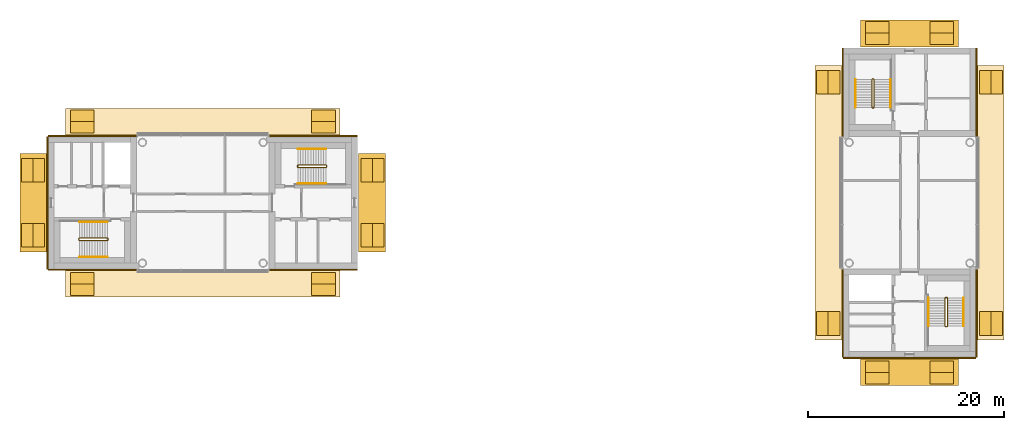
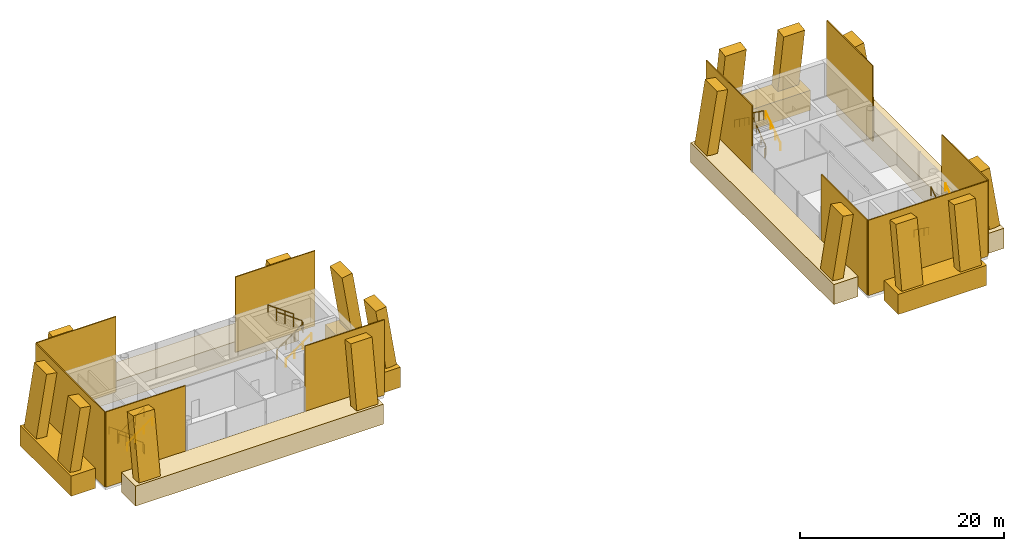
# One storey, part 12 of 12: 34 coverings, 12 railings.
"""IFC4 building model written with IfcOpenShell, lengths in metres."""

from ifc_helpers import new_model, si_unit, direction, frame, origin, origin_2d, place, context, subcontext, project, spatial, rectangle, circle, extrude, material, layer, layer_set, material_profile, profile_set, type_object, element, save


model = new_model("IFC4")

# Units and contexts
model_context = context("Model", 3, precision=1e-05, world=origin(), true_north=direction((0.0, 1.0)))
body_context = subcontext(model_context, "Body", "Model", "MODEL_VIEW")
ifc_project = project(units=[si_unit("LENGTHUNIT", "METRE"), si_unit("AREAUNIT", "SQUARE_METRE"), si_unit("VOLUMEUNIT", "CUBIC_METRE"), si_unit("PLANEANGLEUNIT", "RADIAN"), si_unit("MASSUNIT", "GRAM", prefix="KILO")], contexts=[model_context])

# Site, building, storey
site_placement = place(None, origin())
site = spatial("IfcSite", under=ifc_project, at=site_placement, CompositionType="ELEMENT")
building_placement = place(site_placement, origin())
building = spatial("IfcBuilding", under=site, at=building_placement, Name="Ipe Terrace Towers", CompositionType="ELEMENT")
storey_placement = place(building_placement, frame((0.0, 0.0, 255.89990234375)))
storey = spatial("IfcBuildingStorey", under=building, at=storey_placement, Name="L70", CompositionType="ELEMENT", Elevation=255.89990234375)

# Coverings
ifc_material_1 = material(Name="Concrete C50/60 precast, buff finish", Category="concrete")
ifc_layer = layer(ifc_material_1, 0.1201171875)
ifc_layer_set = layer_set([ifc_layer], Name="STONE CORE CLADDING 120")
covering_type_1 = type_object("IfcCoveringType", Name="STONE CORE CLADDING 120", PredefinedType="CLADDING", material=ifc_layer_set)
covering_1_placement = place(storey_placement, frame((-47.2490234375, -6.81005859375, 0.0), z_axis=(0.0, 0.0, 1.0), x_axis=(1.0, 0.0, 0.0)))
element("IfcCovering", 1, at=covering_1_placement, inside=storey, type_object=covering_type_1, Name="stone core cladding", PredefinedType="CLADDING", context=body_context, shape_type="SweptSolid", body=[
    extrude(rectangle(XDim=9.0009765625, YDim=0.1201171875, at=origin_2d()), origin(), (0.0, 0.0, 1.0), 9.0),
])
covering_2_placement = place(storey_placement, frame((-51.81005859375, 0.0, 0.0), z_axis=(0.0, 0.0, 1.0), x_axis=(0.0, -1.0, 0.0)))
element("IfcCovering", 2, at=covering_2_placement, inside=storey, type_object=covering_type_1, Name="stone core cladding", PredefinedType="CLADDING", context=body_context, shape_type="SweptSolid", body=[
    extrude(rectangle(XDim=13.5, YDim=0.1201171875, at=origin_2d()), origin(), (0.0, 0.0, 1.0), 9.0),
])
for number, where, z_axis, x_axis, name in (
    (3, (-47.2490234375, 6.81005859375, 0.0), (0.0, 0.0, 1.0), (-1.0, 0.0, 0.0), "stone core cladding"),
    (4, (-24.7509765625, -6.81005859375, 0.0), (0.0, 0.0, 1.0), (1.0, 0.0, 0.0), "stone core cladding"),
    (5, (-24.7509765625, 6.81005859375, 0.0), (0.0, 0.0, 1.0), (-1.0, 0.0, 0.0), "stone core cladding"),
):
    element("IfcCovering", number, at=place(storey_placement, frame(where, z_axis=z_axis, x_axis=x_axis)), inside=storey, type_object=covering_type_1, Name=name, PredefinedType="CLADDING", context=body_context, shape_type="SweptSolid", body=[
        extrude(rectangle(XDim=9.0009765625, YDim=0.1201171875, at=origin_2d()), origin(), (0.0, 0.0, 1.0), 9.0),
    ])
covering_3_placement = place(storey_placement, frame((36.0, -15.81005859375, 0.0), z_axis=(0.0, 0.0, 1.0), x_axis=(1.0, 0.0, 0.0)))
element("IfcCovering", 6, at=covering_3_placement, inside=storey, type_object=covering_type_1, Name="stone core cladding", PredefinedType="CLADDING", context=body_context, shape_type="SweptSolid", body=[
    extrude(rectangle(XDim=13.5, YDim=0.1201171875, at=origin_2d()), origin(), (0.0, 0.0, 1.0), 9.0),
])
for number, where, z_axis, x_axis, name in (
    (7, (29.18994140625, -11.25, 0.0), (0.0, 0.0, 1.0), (0.0, -1.0, 0.0), "stone core cladding"),
    (8, (29.18994140625, 11.2490234375, 0.0), (0.0, 0.0, 1.0), (0.0, -1.0, 0.0), "stone core cladding"),
    (9, (42.81005859375, -11.2490234375, 0.0), (0.0, 0.0, 1.0), (0.0, 1.0, 0.0), "stone core cladding"),
    (10, (42.81005859375, 11.25, 0.0), (0.0, 0.0, 1.0), (0.0, 1.0, 0.0), "stone core cladding"),
):
    element("IfcCovering", number, at=place(storey_placement, frame(where, z_axis=z_axis, x_axis=x_axis)), inside=storey, type_object=covering_type_1, Name=name, PredefinedType="CLADDING", context=body_context, shape_type="SweptSolid", body=[
        extrude(rectangle(XDim=9.0009765625, YDim=0.1201171875, at=origin_2d()), origin(), (0.0, 0.0, 1.0), 9.0),
    ])
ifc_material_2 = material(Name="Concrete C50/60 precast, buff finish", Category="concrete")
ifc_material_profile_1 = material_profile(ifc_material_2, rectangle(XDim=2.39990234375, YDim=1.199951171875, at=origin_2d()), Name="STONE FIN 2400 x 1200")
ifc_profile_set_1 = profile_set([ifc_material_profile_1], Name="Concrete C50/60 precast, buff finish")
covering_type_2 = type_object("IfcCoveringType", Name="STONE FIN 2400 x 1200", PredefinedType="USERDEFINED", material=ifc_profile_set_1)
for number, where, z_axis, x_axis, name in (
    (11, (-18.1298828125, -3.300048828125, 1.2001953125), (-0.158280284634, 0.0, 0.98739422294), (0.0, 1.0, 0.0), "stone fin"),
    (12, (-18.1298828125, 3.300048828125, 1.2001953125), (-0.158280284634, 0.0, 0.98739422294), (0.0, 1.0, 0.0), "stone fin"),
    (13, (-23.699951171875, -8.8701171875, 1.2001953125), (0.0, 0.158280284634, 0.98739422294), (1.0, 0.0, 0.0), "stone fin"),
    (14, (-23.699951171875, 8.8701171875, 1.2001953125), (0.0, -0.158280284634, 0.98739422294), (-1.0, 0.0, 0.0), "stone fin"),
    (15, (-48.300048828125, -8.8701171875, 1.2001953125), (0.0, 0.158280284634, 0.98739422294), (1.0, 0.0, 0.0), "stone fin"),
    (16, (-48.300048828125, 8.8701171875, 1.2001953125), (0.0, -0.158280284634, 0.98739422294), (-1.0, 0.0, 0.0), "stone fin"),
    (17, (-53.8701171875, -3.300048828125, 1.2001953125), (0.158280284634, 0.0, 0.98739422294), (0.0, -1.0, 0.0), "stone fin"),
    (18, (-53.8701171875, 3.300048828125, 1.2001953125), (0.158280284634, 0.0, 0.98739422294), (0.0, -1.0, 0.0), "stone fin"),
    (19, (27.1298828125, -12.300048828125, 1.2001953125), (0.158280284634, 0.0, 0.98739422294), (0.0, -1.0, 0.0), "stone fin"),
    (20, (27.1298828125, 12.300048828125, 1.2001953125), (0.158280284634, 0.0, 0.98739422294), (0.0, -1.0, 0.0), "stone fin"),
    (21, (32.699951171875, -17.8701171875, 1.2001953125), (0.0, 0.158280284634, 0.98739422294), (1.0, 0.0, 0.0), "stone fin"),
    (22, (32.699951171875, 17.8701171875, 1.2001953125), (0.0, -0.158280284634, 0.98739422294), (-1.0, 0.0, 0.0), "stone fin"),
    (23, (39.300048828125, -17.8701171875, 1.2001953125), (0.0, 0.158280284634, 0.98739422294), (1.0, 0.0, 0.0), "stone fin"),
    (24, (39.300048828125, 17.8701171875, 1.2001953125), (0.0, -0.158280284634, 0.98739422294), (-1.0, 0.0, 0.0), "stone fin"),
    (25, (44.8701171875, -12.300048828125, 1.2001953125), (-0.158280284634, 0.0, 0.98739422294), (0.0, 1.0, 0.0), "stone fin"),
    (26, (44.8701171875, 12.300048828125, 1.2001953125), (-0.158280284634, 0.0, 0.98739422294), (0.0, 1.0, 0.0), "stone fin"),
):
    element("IfcCovering", number, at=place(storey_placement, frame(where, z_axis=z_axis, x_axis=x_axis)), inside=storey, type_object=covering_type_2, Name=name, ObjectType="FIN", PredefinedType="USERDEFINED", context=body_context, shape_type="SweptSolid", body=[
        extrude(rectangle(XDim=2.39990234375, YDim=1.199951171875, at=origin_2d()), origin(), (0.0, 0.0, 1.0), 7.39306640625),
    ])
ifc_material_3 = material(Name="Concrete C50/60 precast, buff finish", Category="concrete")
ifc_material_profile_2 = material_profile(ifc_material_3, rectangle(XDim=2.760009765625, YDim=2.39990234375, at=origin_2d()), Name="STONE FIN SPANDREL 2760 x 2400")
ifc_profile_set_2 = profile_set([ifc_material_profile_2], Name="Concrete C50/60 precast, buff finish")
covering_type_3 = type_object("IfcCoveringType", Name="STONE FIN SPANDREL 2760 x 2400", PredefinedType="CLADDING", material=ifc_profile_set_2)
covering_4_placement = place(storey_placement, frame((-50.0, -8.239990234375, 0.0), z_axis=(1.0, 0.0, 0.0), x_axis=(0.0, -1.0, 0.0)))
element("IfcCovering", 27, at=covering_4_placement, inside=storey, type_object=covering_type_3, Name="stone fin spandrel", PredefinedType="CLADDING", context=body_context, shape_type="SweptSolid", body=[
    extrude(rectangle(XDim=2.760009765625, YDim=2.39990234375, at=origin_2d()), origin(), (0.0, 0.0, 1.0), 28.0),
])
covering_5_placement = place(storey_placement, frame((-18.760009765625, -5.0, 0.0), z_axis=(0.0, 1.0, 0.0), x_axis=(1.0, 0.0, 0.0)))
element("IfcCovering", 28, at=covering_5_placement, inside=storey, type_object=covering_type_3, Name="stone fin spandrel", PredefinedType="CLADDING", context=body_context, shape_type="SweptSolid", body=[
    extrude(rectangle(XDim=2.760009765625, YDim=2.39990234375, at=origin_2d()), origin(), (0.0, 0.0, 1.0), 10.0),
])
covering_6_placement = place(storey_placement, frame((-22.0, 8.239990234375, 0.0), z_axis=(-1.0, 0.0, 0.0), x_axis=(0.0, 1.0, 0.0)))
element("IfcCovering", 29, at=covering_6_placement, inside=storey, type_object=covering_type_3, Name="stone fin spandrel", PredefinedType="CLADDING", context=body_context, shape_type="SweptSolid", body=[
    extrude(rectangle(XDim=2.760009765625, YDim=2.39990234375, at=origin_2d()), origin(), (0.0, 0.0, 1.0), 28.0),
])
covering_7_placement = place(storey_placement, frame((-53.239990234375, 5.0, 0.0), z_axis=(0.0, -1.0, 0.0), x_axis=(-1.0, 0.0, 0.0)))
element("IfcCovering", 30, at=covering_7_placement, inside=storey, type_object=covering_type_3, Name="stone fin spandrel", PredefinedType="CLADDING", context=body_context, shape_type="SweptSolid", body=[
    extrude(rectangle(XDim=2.760009765625, YDim=2.39990234375, at=origin_2d()), origin(), (0.0, 0.0, 1.0), 10.0),
])
covering_8_placement = place(storey_placement, frame((44.239990234375, -14.0, 0.0), z_axis=(0.0, 1.0, 0.0), x_axis=(1.0, 0.0, 0.0)))
element("IfcCovering", 31, at=covering_8_placement, inside=storey, type_object=covering_type_3, Name="stone fin spandrel", PredefinedType="CLADDING", context=body_context, shape_type="SweptSolid", body=[
    extrude(rectangle(XDim=2.760009765625, YDim=2.39990234375, at=origin_2d()), origin(), (0.0, 0.0, 1.0), 28.0),
])
covering_9_placement = place(storey_placement, frame((41.0, 17.239990234375, 0.0), z_axis=(-1.0, 0.0, 0.0), x_axis=(0.0, 1.0, 0.0)))
element("IfcCovering", 32, at=covering_9_placement, inside=storey, type_object=covering_type_3, Name="stone fin spandrel", PredefinedType="CLADDING", context=body_context, shape_type="SweptSolid", body=[
    extrude(rectangle(XDim=2.760009765625, YDim=2.39990234375, at=origin_2d()), origin(), (0.0, 0.0, 1.0), 10.0),
])
covering_10_placement = place(storey_placement, frame((27.760009765625, 14.0, 0.0), z_axis=(0.0, -1.0, 0.0), x_axis=(-1.0, 0.0, 0.0)))
element("IfcCovering", 33, at=covering_10_placement, inside=storey, type_object=covering_type_3, Name="stone fin spandrel", PredefinedType="CLADDING", context=body_context, shape_type="SweptSolid", body=[
    extrude(rectangle(XDim=2.760009765625, YDim=2.39990234375, at=origin_2d()), origin(), (0.0, 0.0, 1.0), 28.0),
])
covering_11_placement = place(storey_placement, frame((31.0, -17.239990234375, 0.0), z_axis=(1.0, 0.0, 0.0), x_axis=(0.0, -1.0, 0.0)))
element("IfcCovering", 34, at=covering_11_placement, inside=storey, type_object=covering_type_3, Name="stone fin spandrel", PredefinedType="CLADDING", context=body_context, shape_type="SweptSolid", body=[
    extrude(rectangle(XDim=2.760009765625, YDim=2.39990234375, at=origin_2d()), origin(), (0.0, 0.0, 1.0), 10.0),
])

# Railings
ifc_material_4 = material(Name="Steel S355", Category="steel")
railing_type_1 = type_object("IfcRailingType", Name="Stair guard 1100", PredefinedType="GUARDRAIL", material=ifc_material_4)
railing_1_placement = place(storey_placement, frame((-26.35009765625, 3.800048828125, 0.0)))
element("IfcRailing", 35, at=railing_1_placement, inside=storey, type_object=railing_type_1, Name="L70 T1-ST1 stair guard 1", PredefinedType="GUARDRAIL", context=body_context, shape_type="SweptSolid", body=[
    extrude(circle(Radius=0.02392578125, at=origin_2d()), frame((0.0, 0.0, 1.076171875), z_axis=(0.0, -1.0, 0.0), x_axis=(1.0, 0.0, 0.0)), (0.0, 0.0, 1.0), 0.150146484375),
    extrude(circle(Radius=0.02392578125, at=origin_2d()), frame((0.0, -0.150146484375, 1.076171875), z_axis=(0.249802250048, -0.248583702486, 0.935844527007), x_axis=(0.705375805398, 0.708833529934, 0.0)), (0.0, 0.0, 1.0), 0.200439453125),
    extrude(circle(Radius=0.02392578125, at=origin_2d()), frame((0.050048828125, -0.199951171875, 1.263671875), z_axis=(0.811100754333, 0.0, 0.584906459462), x_axis=(0.0, 1.0, 0.0)), (0.0, 0.0, 1.0), 3.526123046875),
    extrude(circle(Radius=0.02392578125, at=origin_2d()), frame((2.91015625, -0.199951171875, 3.326171875), z_axis=(0.708833529934, 0.705375805398, 0.0), x_axis=(-0.705375805398, 0.708833529934, 0.0)), (0.0, 0.0, 1.0), 0.070556640625),
    extrude(circle(Radius=0.02392578125, at=origin_2d()), frame((2.960205078125, -0.150146484375, 3.326171875), z_axis=(0.0, 1.0, 0.0), x_axis=(-1.0, 0.0, 0.0)), (0.0, 0.0, 1.0), 0.150146484375),
    extrude(circle(Radius=0.02392578125, at=origin_2d()), frame((2.960205078125, 0.0, 3.326171875), z_axis=(-0.249726431254, 0.249726431254, 0.935560483917), x_axis=(-0.707106781187, -0.707106781187, 0.0)), (0.0, 0.0, 1.0), 0.200439453125),
    extrude(circle(Radius=0.02392578125, at=origin_2d()), frame((2.91015625, 0.050048828125, 3.513671875), z_axis=(-0.811100754333, 0.0, 0.584906459462), x_axis=(0.0, -1.0, 0.0)), (0.0, 0.0, 1.0), 3.526123046875),
    extrude(circle(Radius=0.02099609375, at=origin_2d()), origin(), (0.0, 0.0, 1.0), 1.052001953125),
    extrude(circle(Radius=0.02099609375, at=origin_2d()), frame((0.0, -0.150146484375, 0.0)), (0.0, 0.0, 1.0), 1.052001953125),
    extrude(circle(Radius=0.02099609375, at=origin_2d()), frame((0.050048828125, -0.199951171875, 0.1875)), (0.0, 0.0, 1.0), 1.052001953125),
    extrude(circle(Radius=0.02099609375, at=origin_2d()), frame((1.00341796875, -0.199951171875, 0.875)), (0.0, 0.0, 1.0), 1.052001953125),
    extrude(circle(Radius=0.02099609375, at=origin_2d()), frame((1.956787109375, -0.199951171875, 1.5625)), (0.0, 0.0, 1.0), 1.052001953125),
    extrude(circle(Radius=0.02099609375, at=origin_2d()), frame((2.91015625, -0.199951171875, 2.25)), (0.0, 0.0, 1.0), 1.052001953125),
    extrude(circle(Radius=0.02099609375, at=origin_2d()), frame((2.960205078125, -0.150146484375, 2.25)), (0.0, 0.0, 1.0), 1.052001953125),
    extrude(circle(Radius=0.02099609375, at=origin_2d()), frame((2.960205078125, 0.0, 2.25)), (0.0, 0.0, 1.0), 1.052001953125),
    extrude(circle(Radius=0.02099609375, at=origin_2d()), frame((2.91015625, 0.050048828125, 2.4375)), (0.0, 0.0, 1.0), 1.052001953125),
    extrude(circle(Radius=0.02099609375, at=origin_2d()), frame((1.956787109375, 0.050048828125, 3.125)), (0.0, 0.0, 1.0), 1.052001953125),
    extrude(circle(Radius=0.02099609375, at=origin_2d()), frame((1.00341796875, 0.050048828125, 3.8125)), (0.0, 0.0, 1.0), 1.052001953125),
    extrude(circle(Radius=0.02099609375, at=origin_2d()), frame((0.050048828125, 0.050048828125, 4.5)), (0.0, 0.0, 1.0), 1.052001953125),
])
railing_2_placement = place(storey_placement, frame((-45.64990234375, -3.800048828125, 0.0)))
element("IfcRailing", 36, at=railing_2_placement, inside=storey, type_object=railing_type_1, Name="L70 T1-ST2 stair guard 1", PredefinedType="GUARDRAIL", context=body_context, shape_type="SweptSolid", body=[
    extrude(circle(Radius=0.02392578125, at=origin_2d()), frame((0.0, 0.0, 1.076171875), z_axis=(0.0, 1.0, 0.0), x_axis=(-1.0, 0.0, 0.0)), (0.0, 0.0, 1.0), 0.150146484375),
    extrude(circle(Radius=0.02392578125, at=origin_2d()), frame((0.0, 0.150146484375, 1.076171875), z_axis=(-0.249802250048, 0.248583702486, 0.935844527007), x_axis=(-0.705375805398, -0.708833529934, 0.0)), (0.0, 0.0, 1.0), 0.200439453125),
    extrude(circle(Radius=0.02392578125, at=origin_2d()), frame((-0.050048828125, 0.199951171875, 1.263671875), z_axis=(-0.811100754333, 0.0, 0.584906459462), x_axis=(0.0, -1.0, 0.0)), (0.0, 0.0, 1.0), 3.526123046875),
    extrude(circle(Radius=0.02392578125, at=origin_2d()), frame((-2.91015625, 0.199951171875, 3.326171875), z_axis=(-0.708833529934, -0.705375805398, 0.0), x_axis=(0.705375805398, -0.708833529934, 0.0)), (0.0, 0.0, 1.0), 0.070556640625),
    extrude(circle(Radius=0.02392578125, at=origin_2d()), frame((-2.960205078125, 0.150146484375, 3.326171875), z_axis=(0.0, -1.0, 0.0), x_axis=(1.0, 0.0, 0.0)), (0.0, 0.0, 1.0), 0.150146484375),
    extrude(circle(Radius=0.02392578125, at=origin_2d()), frame((-2.960205078125, 0.0, 3.326171875), z_axis=(0.249726431254, -0.249726431254, 0.935560483917), x_axis=(0.707106781187, 0.707106781187, 0.0)), (0.0, 0.0, 1.0), 0.200439453125),
    extrude(circle(Radius=0.02392578125, at=origin_2d()), frame((-2.91015625, -0.050048828125, 3.513671875), z_axis=(0.811100754333, 0.0, 0.584906459462), x_axis=(0.0, 1.0, 0.0)), (0.0, 0.0, 1.0), 3.526123046875),
    extrude(circle(Radius=0.02099609375, at=origin_2d()), origin(), (0.0, 0.0, 1.0), 1.052001953125),
    extrude(circle(Radius=0.02099609375, at=origin_2d()), frame((0.0, 0.150146484375, 0.0)), (0.0, 0.0, 1.0), 1.052001953125),
    extrude(circle(Radius=0.02099609375, at=origin_2d()), frame((-0.050048828125, 0.199951171875, 0.1875)), (0.0, 0.0, 1.0), 1.052001953125),
    extrude(circle(Radius=0.02099609375, at=origin_2d()), frame((-1.00341796875, 0.199951171875, 0.875)), (0.0, 0.0, 1.0), 1.052001953125),
    extrude(circle(Radius=0.02099609375, at=origin_2d()), frame((-1.956787109375, 0.199951171875, 1.5625)), (0.0, 0.0, 1.0), 1.052001953125),
    extrude(circle(Radius=0.02099609375, at=origin_2d()), frame((-2.91015625, 0.199951171875, 2.25)), (0.0, 0.0, 1.0), 1.052001953125),
    extrude(circle(Radius=0.02099609375, at=origin_2d()), frame((-2.960205078125, 0.150146484375, 2.25)), (0.0, 0.0, 1.0), 1.052001953125),
    extrude(circle(Radius=0.02099609375, at=origin_2d()), frame((-2.960205078125, 0.0, 2.25)), (0.0, 0.0, 1.0), 1.052001953125),
    extrude(circle(Radius=0.02099609375, at=origin_2d()), frame((-2.91015625, -0.050048828125, 2.4375)), (0.0, 0.0, 1.0), 1.052001953125),
    extrude(circle(Radius=0.02099609375, at=origin_2d()), frame((-1.956787109375, -0.050048828125, 3.125)), (0.0, 0.0, 1.0), 1.052001953125),
    extrude(circle(Radius=0.02099609375, at=origin_2d()), frame((-1.00341796875, -0.050048828125, 3.8125)), (0.0, 0.0, 1.0), 1.052001953125),
    extrude(circle(Radius=0.02099609375, at=origin_2d()), frame((-0.050048828125, -0.050048828125, 4.5)), (0.0, 0.0, 1.0), 1.052001953125),
])
railing_3_placement = place(storey_placement, frame((32.199951171875, 9.64990234375, 0.0)))
element("IfcRailing", 37, at=railing_3_placement, inside=storey, type_object=railing_type_1, Name="L70 T2-ST1 stair guard 1", PredefinedType="GUARDRAIL", context=body_context, shape_type="SweptSolid", body=[
    extrude(circle(Radius=0.02392578125, at=origin_2d()), frame((0.0, 0.0, 1.076171875), z_axis=(1.0, 0.0, 0.0), x_axis=(0.0, 1.0, 0.0)), (0.0, 0.0, 1.0), 0.150146484375),
    extrude(circle(Radius=0.02392578125, at=origin_2d()), frame((0.150146484375, 0.0, 1.076171875), z_axis=(0.248583702486, 0.249802250048, 0.935844527007), x_axis=(-0.708833529934, 0.705375805398, 0.0)), (0.0, 0.0, 1.0), 0.200439453125),
    extrude(circle(Radius=0.02392578125, at=origin_2d()), frame((0.199951171875, 0.050048828125, 1.263671875), z_axis=(0.0, 0.811100754333, 0.584906459462), x_axis=(-1.0, 0.0, 0.0)), (0.0, 0.0, 1.0), 3.526123046875),
    extrude(circle(Radius=0.02392578125, at=origin_2d()), frame((0.199951171875, 2.91015625, 3.326171875), z_axis=(-0.705375805398, 0.708833529934, 0.0), x_axis=(-0.708833529934, -0.705375805398, 0.0)), (0.0, 0.0, 1.0), 0.070556640625),
    extrude(circle(Radius=0.02392578125, at=origin_2d()), frame((0.150146484375, 2.960205078125, 3.326171875), z_axis=(-1.0, 0.0, 0.0), x_axis=(0.0, -1.0, 0.0)), (0.0, 0.0, 1.0), 0.150146484375),
    extrude(circle(Radius=0.02392578125, at=origin_2d()), frame((0.0, 2.960205078125, 3.326171875), z_axis=(-0.249726431254, -0.249726431254, 0.935560483917), x_axis=(0.707106781187, -0.707106781187, 0.0)), (0.0, 0.0, 1.0), 0.200439453125),
    extrude(circle(Radius=0.02392578125, at=origin_2d()), frame((-0.050048828125, 2.91015625, 3.513671875), z_axis=(0.0, -0.811100754333, 0.584906459462), x_axis=(1.0, 0.0, 0.0)), (0.0, 0.0, 1.0), 3.526123046875),
    extrude(circle(Radius=0.02099609375, at=origin_2d()), origin(), (0.0, 0.0, 1.0), 1.052001953125),
    extrude(circle(Radius=0.02099609375, at=origin_2d()), frame((0.150146484375, 0.0, 0.0)), (0.0, 0.0, 1.0), 1.052001953125),
    extrude(circle(Radius=0.02099609375, at=origin_2d()), frame((0.199951171875, 0.050048828125, 0.1875)), (0.0, 0.0, 1.0), 1.052001953125),
    extrude(circle(Radius=0.02099609375, at=origin_2d()), frame((0.199951171875, 1.00341796875, 0.875)), (0.0, 0.0, 1.0), 1.052001953125),
    extrude(circle(Radius=0.02099609375, at=origin_2d()), frame((0.199951171875, 1.956787109375, 1.5625)), (0.0, 0.0, 1.0), 1.052001953125),
    extrude(circle(Radius=0.02099609375, at=origin_2d()), frame((0.199951171875, 2.91015625, 2.25)), (0.0, 0.0, 1.0), 1.052001953125),
    extrude(circle(Radius=0.02099609375, at=origin_2d()), frame((0.150146484375, 2.960205078125, 2.25)), (0.0, 0.0, 1.0), 1.052001953125),
    extrude(circle(Radius=0.02099609375, at=origin_2d()), frame((0.0, 2.960205078125, 2.25)), (0.0, 0.0, 1.0), 1.052001953125),
    extrude(circle(Radius=0.02099609375, at=origin_2d()), frame((-0.050048828125, 2.91015625, 2.4375)), (0.0, 0.0, 1.0), 1.052001953125),
    extrude(circle(Radius=0.02099609375, at=origin_2d()), frame((-0.050048828125, 1.956787109375, 3.125)), (0.0, 0.0, 1.0), 1.052001953125),
    extrude(circle(Radius=0.02099609375, at=origin_2d()), frame((-0.050048828125, 1.00341796875, 3.8125)), (0.0, 0.0, 1.0), 1.052001953125),
    extrude(circle(Radius=0.02099609375, at=origin_2d()), frame((-0.050048828125, 0.050048828125, 4.5)), (0.0, 0.0, 1.0), 1.052001953125),
])
railing_4_placement = place(storey_placement, frame((39.800048828125, -9.64990234375, 0.0)))
element("IfcRailing", 38, at=railing_4_placement, inside=storey, type_object=railing_type_1, Name="L70 T2-ST2 stair guard 1", PredefinedType="GUARDRAIL", context=body_context, shape_type="SweptSolid", body=[
    extrude(circle(Radius=0.02392578125, at=origin_2d()), frame((0.0, 0.0, 1.076171875), z_axis=(-1.0, 0.0, 0.0), x_axis=(0.0, -1.0, 0.0)), (0.0, 0.0, 1.0), 0.150146484375),
    extrude(circle(Radius=0.02392578125, at=origin_2d()), frame((-0.150146484375, 0.0, 1.076171875), z_axis=(-0.248583702486, -0.249802250048, 0.935844527007), x_axis=(0.708833529934, -0.705375805398, 0.0)), (0.0, 0.0, 1.0), 0.200439453125),
    extrude(circle(Radius=0.02392578125, at=origin_2d()), frame((-0.199951171875, -0.050048828125, 1.263671875), z_axis=(0.0, -0.811100754333, 0.584906459462), x_axis=(1.0, 0.0, 0.0)), (0.0, 0.0, 1.0), 3.526123046875),
    extrude(circle(Radius=0.02392578125, at=origin_2d()), frame((-0.199951171875, -2.91015625, 3.326171875), z_axis=(0.705375805398, -0.708833529934, 0.0), x_axis=(0.708833529934, 0.705375805398, 0.0)), (0.0, 0.0, 1.0), 0.070556640625),
    extrude(circle(Radius=0.02392578125, at=origin_2d()), frame((-0.150146484375, -2.960205078125, 3.326171875), z_axis=(1.0, 0.0, 0.0), x_axis=(0.0, 1.0, 0.0)), (0.0, 0.0, 1.0), 0.150146484375),
    extrude(circle(Radius=0.02392578125, at=origin_2d()), frame((0.0, -2.960205078125, 3.326171875), z_axis=(0.249726431254, 0.249726431254, 0.935560483917), x_axis=(-0.707106781187, 0.707106781187, 0.0)), (0.0, 0.0, 1.0), 0.200439453125),
    extrude(circle(Radius=0.02392578125, at=origin_2d()), frame((0.050048828125, -2.91015625, 3.513671875), z_axis=(0.0, 0.811100754333, 0.584906459462), x_axis=(-1.0, 0.0, 0.0)), (0.0, 0.0, 1.0), 3.526123046875),
    extrude(circle(Radius=0.02099609375, at=origin_2d()), origin(), (0.0, 0.0, 1.0), 1.052001953125),
    extrude(circle(Radius=0.02099609375, at=origin_2d()), frame((-0.150146484375, 0.0, 0.0)), (0.0, 0.0, 1.0), 1.052001953125),
    extrude(circle(Radius=0.02099609375, at=origin_2d()), frame((-0.199951171875, -0.050048828125, 0.1875)), (0.0, 0.0, 1.0), 1.052001953125),
    extrude(circle(Radius=0.02099609375, at=origin_2d()), frame((-0.199951171875, -1.00341796875, 0.875)), (0.0, 0.0, 1.0), 1.052001953125),
    extrude(circle(Radius=0.02099609375, at=origin_2d()), frame((-0.199951171875, -1.956787109375, 1.5625)), (0.0, 0.0, 1.0), 1.052001953125),
    extrude(circle(Radius=0.02099609375, at=origin_2d()), frame((-0.199951171875, -2.91015625, 2.25)), (0.0, 0.0, 1.0), 1.052001953125),
    extrude(circle(Radius=0.02099609375, at=origin_2d()), frame((-0.150146484375, -2.960205078125, 2.25)), (0.0, 0.0, 1.0), 1.052001953125),
    extrude(circle(Radius=0.02099609375, at=origin_2d()), frame((0.0, -2.960205078125, 2.25)), (0.0, 0.0, 1.0), 1.052001953125),
    extrude(circle(Radius=0.02099609375, at=origin_2d()), frame((0.050048828125, -2.91015625, 2.4375)), (0.0, 0.0, 1.0), 1.052001953125),
    extrude(circle(Radius=0.02099609375, at=origin_2d()), frame((0.050048828125, -1.956787109375, 3.125)), (0.0, 0.0, 1.0), 1.052001953125),
    extrude(circle(Radius=0.02099609375, at=origin_2d()), frame((0.050048828125, -1.00341796875, 3.8125)), (0.0, 0.0, 1.0), 1.052001953125),
    extrude(circle(Radius=0.02099609375, at=origin_2d()), frame((0.050048828125, -0.050048828125, 4.5)), (0.0, 0.0, 1.0), 1.052001953125),
])
ifc_material_5 = material(Name="Stainless steel grade 304", Category="steel")
railing_type_2 = type_object("IfcRailingType", Name="Stair handrail 900", PredefinedType="HANDRAIL", material=ifc_material_5)
railing_5_placement = place(storey_placement, frame((-26.300048828125, 1.949951171875, 0.1875)))
element("IfcRailing", 39, at=railing_5_placement, inside=storey, type_object=railing_type_2, Name="L70 T1-ST1 stair handrail 1", PredefinedType="HANDRAIL", context=body_context, shape_type="SweptSolid", body=[
    extrude(circle(Radius=0.02392578125, at=origin_2d()), frame((0.0, 0.0, 0.8759765625), z_axis=(0.811100754333, 0.0, 0.584906459462), x_axis=(0.0, 1.0, 0.0)), (0.0, 0.0, 1.0), 3.526123046875),
    extrude(circle(Radius=0.02099609375, at=origin_2d()), origin(), (0.0, 0.0, 1.0), 0.851806640625),
    extrude(circle(Radius=0.02099609375, at=origin_2d()), frame((0.953369140625, 0.0, 0.6875)), (0.0, 0.0, 1.0), 0.851806640625),
    extrude(circle(Radius=0.02099609375, at=origin_2d()), frame((1.90673828125, 0.0, 1.375)), (0.0, 0.0, 1.0), 0.851806640625),
    extrude(circle(Radius=0.02099609375, at=origin_2d()), frame((2.860107421875, 0.0, 2.0625)), (0.0, 0.0, 1.0), 0.851806640625),
])
for number, where, name in (
    (40, (-23.43994140625, 5.5, 2.4375), "L70 T1-ST1 stair handrail 2"),
    (41, (-45.699951171875, -1.949951171875, 0.1875), "L70 T1-ST2 stair handrail 1"),
):
    element("IfcRailing", number, at=place(storey_placement, frame(where)), inside=storey, type_object=railing_type_2, Name=name, PredefinedType="HANDRAIL", context=body_context, shape_type="SweptSolid", body=[
        extrude(circle(Radius=0.02392578125, at=origin_2d()), frame((0.0, 0.0, 0.8759765625), z_axis=(-0.811100754333, 0.0, 0.584906459462), x_axis=(0.0, -1.0, 0.0)), (0.0, 0.0, 1.0), 3.526123046875),
        extrude(circle(Radius=0.02099609375, at=origin_2d()), origin(), (0.0, 0.0, 1.0), 0.851806640625),
        extrude(circle(Radius=0.02099609375, at=origin_2d()), frame((-0.953369140625, 0.0, 0.6875)), (0.0, 0.0, 1.0), 0.851806640625),
        extrude(circle(Radius=0.02099609375, at=origin_2d()), frame((-1.90673828125, 0.0, 1.375)), (0.0, 0.0, 1.0), 0.851806640625),
        extrude(circle(Radius=0.02099609375, at=origin_2d()), frame((-2.860107421875, 0.0, 2.0625)), (0.0, 0.0, 1.0), 0.851806640625),
    ])
railing_6_placement = place(storey_placement, frame((-48.56005859375, -5.5, 2.4375)))
element("IfcRailing", 42, at=railing_6_placement, inside=storey, type_object=railing_type_2, Name="L70 T1-ST2 stair handrail 2", PredefinedType="HANDRAIL", context=body_context, shape_type="SweptSolid", body=[
    extrude(circle(Radius=0.02392578125, at=origin_2d()), frame((0.0, 0.0, 0.8759765625), z_axis=(0.811100754333, 0.0, 0.584906459462), x_axis=(0.0, 1.0, 0.0)), (0.0, 0.0, 1.0), 3.526123046875),
    extrude(circle(Radius=0.02099609375, at=origin_2d()), origin(), (0.0, 0.0, 1.0), 0.851806640625),
    extrude(circle(Radius=0.02099609375, at=origin_2d()), frame((0.953369140625, 0.0, 0.6875)), (0.0, 0.0, 1.0), 0.851806640625),
    extrude(circle(Radius=0.02099609375, at=origin_2d()), frame((1.90673828125, 0.0, 1.375)), (0.0, 0.0, 1.0), 0.851806640625),
    extrude(circle(Radius=0.02099609375, at=origin_2d()), frame((2.860107421875, 0.0, 2.0625)), (0.0, 0.0, 1.0), 0.851806640625),
])
railing_7_placement = place(storey_placement, frame((34.050048828125, 9.699951171875, 0.1875)))
element("IfcRailing", 43, at=railing_7_placement, inside=storey, type_object=railing_type_2, Name="L70 T2-ST1 stair handrail 1", PredefinedType="HANDRAIL", context=body_context, shape_type="SweptSolid", body=[
    extrude(circle(Radius=0.02392578125, at=origin_2d()), frame((0.0, 0.0, 0.8759765625), z_axis=(0.0, 0.811100754333, 0.584906459462), x_axis=(-1.0, 0.0, 0.0)), (0.0, 0.0, 1.0), 3.526123046875),
    extrude(circle(Radius=0.02099609375, at=origin_2d()), origin(), (0.0, 0.0, 1.0), 0.851806640625),
    extrude(circle(Radius=0.02099609375, at=origin_2d()), frame((0.0, 0.953369140625, 0.6875)), (0.0, 0.0, 1.0), 0.851806640625),
    extrude(circle(Radius=0.02099609375, at=origin_2d()), frame((0.0, 1.90673828125, 1.375)), (0.0, 0.0, 1.0), 0.851806640625),
    extrude(circle(Radius=0.02099609375, at=origin_2d()), frame((0.0, 2.860107421875, 2.0625)), (0.0, 0.0, 1.0), 0.851806640625),
])
for number, where, name in (
    (44, (30.5, 12.56005859375, 2.4375), "L70 T2-ST1 stair handrail 2"),
    (45, (37.949951171875, -9.699951171875, 0.1875), "L70 T2-ST2 stair handrail 1"),
):
    element("IfcRailing", number, at=place(storey_placement, frame(where)), inside=storey, type_object=railing_type_2, Name=name, PredefinedType="HANDRAIL", context=body_context, shape_type="SweptSolid", body=[
        extrude(circle(Radius=0.02392578125, at=origin_2d()), frame((0.0, 0.0, 0.8759765625), z_axis=(0.0, -0.811100754333, 0.584906459462), x_axis=(1.0, 0.0, 0.0)), (0.0, 0.0, 1.0), 3.526123046875),
        extrude(circle(Radius=0.02099609375, at=origin_2d()), origin(), (0.0, 0.0, 1.0), 0.851806640625),
        extrude(circle(Radius=0.02099609375, at=origin_2d()), frame((0.0, -0.953369140625, 0.6875)), (0.0, 0.0, 1.0), 0.851806640625),
        extrude(circle(Radius=0.02099609375, at=origin_2d()), frame((0.0, -1.90673828125, 1.375)), (0.0, 0.0, 1.0), 0.851806640625),
        extrude(circle(Radius=0.02099609375, at=origin_2d()), frame((0.0, -2.860107421875, 2.0625)), (0.0, 0.0, 1.0), 0.851806640625),
    ])
railing_8_placement = place(storey_placement, frame((41.5, -12.56005859375, 2.4375)))
element("IfcRailing", 46, at=railing_8_placement, inside=storey, type_object=railing_type_2, Name="L70 T2-ST2 stair handrail 2", PredefinedType="HANDRAIL", context=body_context, shape_type="SweptSolid", body=[
    extrude(circle(Radius=0.02392578125, at=origin_2d()), frame((0.0, 0.0, 0.8759765625), z_axis=(0.0, 0.811100754333, 0.584906459462), x_axis=(-1.0, 0.0, 0.0)), (0.0, 0.0, 1.0), 3.526123046875),
    extrude(circle(Radius=0.02099609375, at=origin_2d()), origin(), (0.0, 0.0, 1.0), 0.851806640625),
    extrude(circle(Radius=0.02099609375, at=origin_2d()), frame((0.0, 0.953369140625, 0.6875)), (0.0, 0.0, 1.0), 0.851806640625),
    extrude(circle(Radius=0.02099609375, at=origin_2d()), frame((0.0, 1.90673828125, 1.375)), (0.0, 0.0, 1.0), 0.851806640625),
    extrude(circle(Radius=0.02099609375, at=origin_2d()), frame((0.0, 2.860107421875, 2.0625)), (0.0, 0.0, 1.0), 0.851806640625),
])

save(model, "model.ifc")
